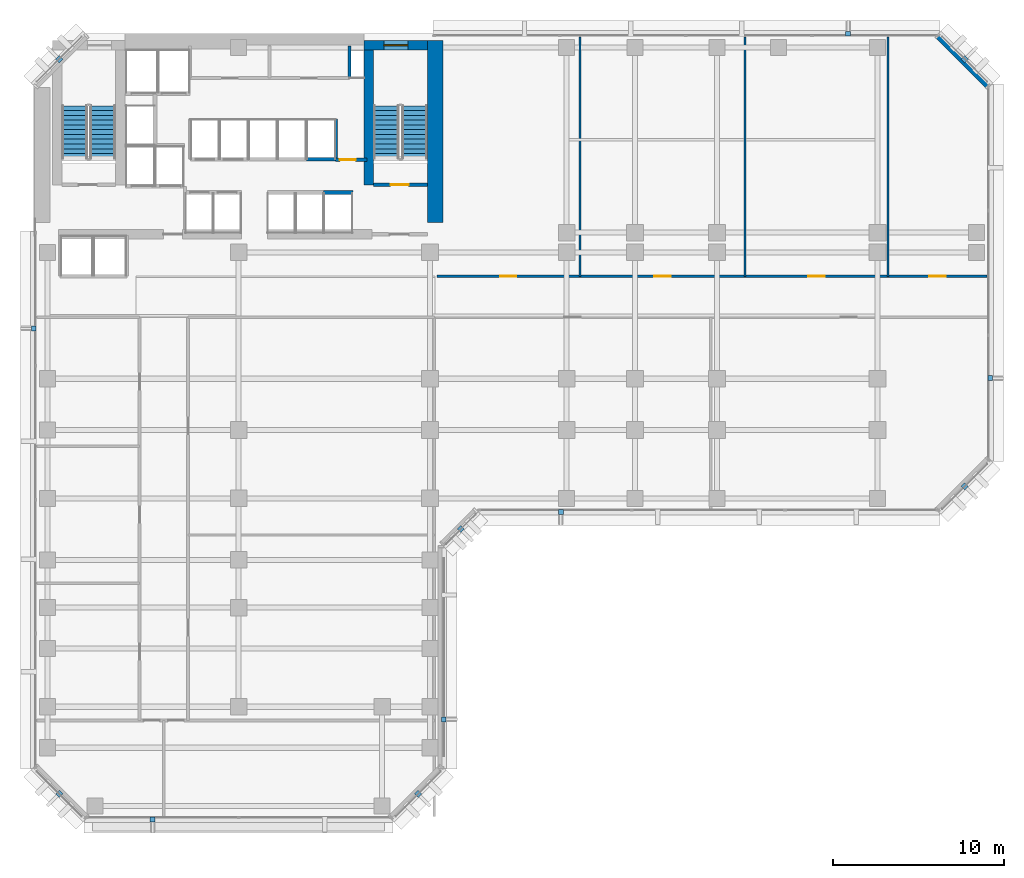
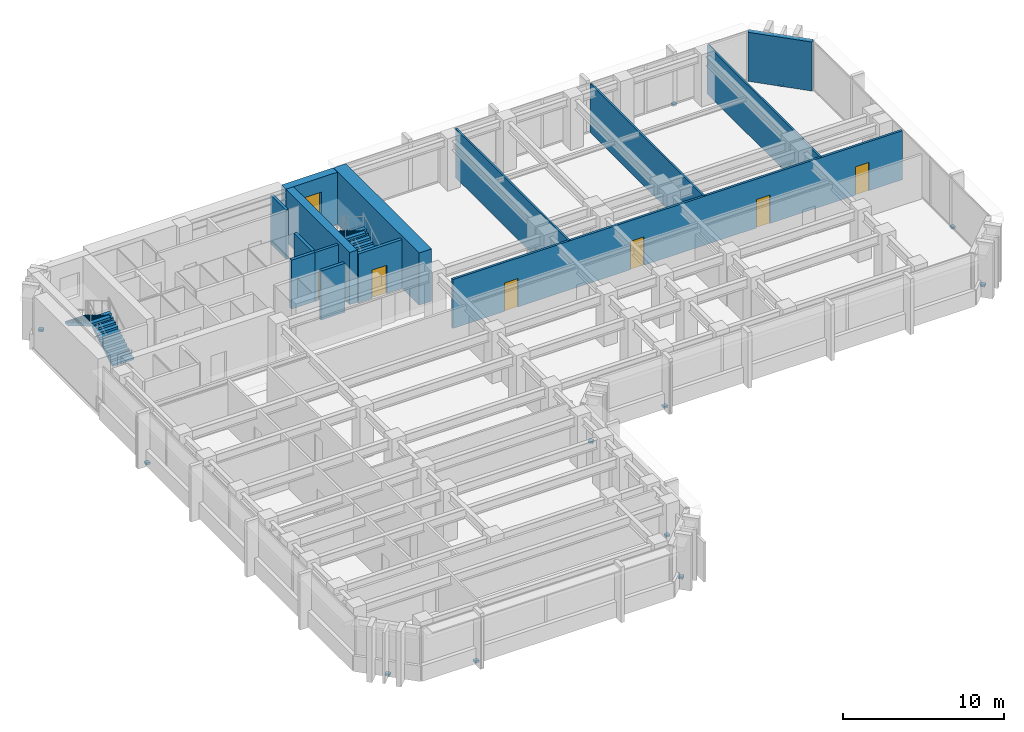
# One storey, part 8 of 13: 14 walls, 12 discrete accessories, 6 doors, 4 stair flights, 1 window, 7 openings, 2 elements without a shape of their own.
"""IFC4 building model written with IfcOpenShell, lengths in metres."""

from ifc_helpers import new_model, si_unit, direction, frame, frame_2d, origin, origin_2d, place, context, subcontext, project, spatial, polyline, rectangle, outline, extrude, material, layer, layer_set, type_object, element, fill, aggregate, save


model = new_model("IFC4")

# Units and contexts
model_context = context("Model", 3, precision=1e-05, world=origin(), true_north=direction((0.0, 1.0)))
body_context = subcontext(model_context, "Body", "Model", "MODEL_VIEW")
ifc_project = project(units=[si_unit("LENGTHUNIT", "METRE"), si_unit("AREAUNIT", "SQUARE_METRE"), si_unit("VOLUMEUNIT", "CUBIC_METRE"), si_unit("PLANEANGLEUNIT", "RADIAN"), si_unit("MASSUNIT", "GRAM", prefix="KILO")], contexts=[model_context])

# Site, building, storey
site_placement = place(None, origin())
site = spatial("IfcSite", under=ifc_project, at=site_placement, CompositionType="ELEMENT")
building_placement = place(site_placement, origin())
building = spatial("IfcBuilding", under=site, at=building_placement, Name="Kefirva Bronze Tower", CompositionType="ELEMENT")
storey_placement = place(building_placement, frame((0.0, 0.0, 46.199951171875)))
storey = spatial("IfcBuildingStorey", under=building, at=storey_placement, Name="L10", CompositionType="ELEMENT", Elevation=46.199951171875)

# Walls
ifc_material_1 = material(Name="Gypsum acoustic partition")
ifc_layer_1 = layer(ifc_material_1, 0.1298828125, Name="Gypsum acoustic partition")
ifc_layer_set_1 = layer_set([ifc_layer_1], Name="Gypsum acoustic partition")
wall_type_1 = type_object("IfcWallType", Name="Acoustic Office Partition 130mm", PredefinedType="PARTITIONING", material=ifc_layer_set_1)
for number, where, z_axis, x_axis, name in (
    (1, (31.974609375, 31.800048828125, 0.0), (0.0, 0.0, 1.0), (0.0, 1.0, 0.0), "L10 Partition W-L10-END1"),
    (2, (41.6376953125, 31.800048828125, 0.0), (0.0, 0.0, 1.0), (0.0, 1.0, 0.0), "L10 Partition W-L10-END2"),
    (3, (50.01220703125, 31.800048828125, 0.0), (0.0, 0.0, 1.0), (0.0, 1.0, 0.0), "L10 Partition W-L10-END3"),
):
    element("IfcWall", number, at=place(storey_placement, frame(where, z_axis=z_axis, x_axis=x_axis)), inside=storey, type_object=wall_type_1, Name=name, PredefinedType="PARTITIONING", context=body_context, shape_type="SweptSolid", body=[
        extrude(rectangle(XDim=14.010009765625, YDim=0.1298828125, at=frame_2d((7.0048828125, 0.0))), origin(), (0.0, 0.0, 1.0), 3.7099609375),
    ])

# Wall, opening, door
ifc_material_2 = material(Name="Gypsum fireboard shaftwall")
ifc_layer_2 = layer(ifc_material_2, 0.219970703125, Name="Gypsum fireboard shaftwall")
ifc_layer_set_2 = layer_set([ifc_layer_2], Name="Gypsum fireboard shaftwall")
wall_type_2 = type_object("IfcWallType", Name="Fire-Rated Shaft Enclosure Wall 220mm", PredefinedType="PARTITIONING", material=ifc_layer_set_2)
wall_1_placement = place(storey_placement, frame((19.89990234375, 37.14990234375, 0.0), z_axis=(0.0, 0.0, 1.0), x_axis=(1.0, 0.0, 0.0)))
wall_1 = element("IfcWall", 4, at=wall_1_placement, inside=storey, type_object=wall_type_2, Name="L10 Partition W-L10-ST2S", PredefinedType="PARTITIONING", context=body_context, shape_type="SweptSolid", body=[
    extrude(rectangle(XDim=3.150146484375, YDim=0.219970703125, at=frame_2d((1.5751953125, 0.0))), origin(), (0.0, 0.0, 1.0), 3.7099609375),
])
opening_1_placement = place(wall_1_placement, frame((2.050048828125, 0.0, 0.0), z_axis=(0.0, 0.0, 1.0), x_axis=(-1.0, 0.0, 0.0)))
opening_1 = element("IfcOpeningElement", 5, at=opening_1_placement, cuts=wall_1, Name="Opening L10-D003", PredefinedType="OPENING", context=body_context, shape_type="SweptSolid", body=[
    extrude(rectangle(XDim=1.050048828125, YDim=2.14990234375, at=frame_2d((0.52490234375, 1.074951171875))), frame((0.0, 0.1201171875, 0.0), z_axis=(0.0, -1.0, 0.0), x_axis=(1.0, 0.0, 0.0)), (0.0, 0.0, 1.0), 0.239990234375),
])
ifc_material_3 = material(Name="Painted galvanized steel", Category="steel")
door_type_1 = type_object("IfcDoorType", Name="Fire Stair Enclosure Door 1050x2150 FD90S", OperationType="NOTDEFINED", PredefinedType="DOOR", material=ifc_material_3)
door_1_placement = place(opening_1_placement, origin())
door_1 = element("IfcDoor", 6, at=door_1_placement, inside=storey, type_object=door_type_1, Name="Door L10-D003", OperationType="SINGLE_SWING_RIGHT", OverallHeight=2.14990234375, OverallWidth=1.050048828125, PredefinedType="DOOR", context=body_context, shape_type="SweptSolid", body=[
    extrude(rectangle(XDim=1.050048828125, YDim=2.14990234375, at=frame_2d((0.52490234375, 1.074951171875))), frame((0.0, 0.02490234375, 0.0), z_axis=(0.0, -1.0, 0.0), x_axis=(1.0, 0.0, 0.0)), (0.0, 0.0, 1.0), 0.050048828125),
])
fill(opening_1, door_1)

# Walls
wall_2_placement = place(storey_placement, frame((17.679931640625, 38.64990234375, 0.0), z_axis=(0.0, 0.0, 1.0), x_axis=(0.0, 1.0, 0.0)))
element("IfcWall", 7, at=wall_2_placement, inside=storey, type_object=wall_type_2, Name="L10 Partition W-L10-HP2E", PredefinedType="PARTITIONING", context=body_context, shape_type="SweptSolid", body=[
    extrude(rectangle(XDim=2.35009765625, YDim=0.199951171875, at=frame_2d((1.175048828125, 0.0))), origin(), (0.0, 0.0, 1.0), 3.7099609375),
])
wall_3_placement = place(storey_placement, frame((16.97998046875, 36.699951171875, 0.0), z_axis=(0.0, 0.0, 1.0), x_axis=(1.0, 0.0, 0.0)))
element("IfcWall", 8, at=wall_3_placement, inside=storey, type_object=wall_type_2, Name="L10 Partition W-L10-HPS", PredefinedType="PARTITIONING", context=body_context, shape_type="SweptSolid", body=[
    extrude(rectangle(XDim=1.699951171875, YDim=0.219970703125, at=frame_2d((0.85009765625, 0.0))), origin(), (0.0, 0.0, 1.0), 3.7099609375),
])
wall_4_placement = place(storey_placement, frame((15.97998046875, 38.64990234375, 0.0), z_axis=(0.0, 0.0, 1.0), x_axis=(1.0, 0.0, 0.0)))
element("IfcWall", 9, at=wall_4_placement, inside=storey, type_object=wall_type_2, Name="L10 Partition W-L10-HPN", PredefinedType="PARTITIONING", context=body_context, shape_type="SweptSolid", body=[
    extrude(rectangle(XDim=1.719970703125, YDim=0.219970703125, at=frame_2d((0.85986328125, 0.0))), origin(), (0.0, 0.0, 1.0), 3.7099609375),
])

# Wall, opening, door
ifc_material_4 = material(Name="Gypsum fireboard barrier")
ifc_layer_3 = layer(ifc_material_4, 0.199951171875, Name="Gypsum fireboard barrier")
ifc_layer_set_3 = layer_set([ifc_layer_3], Name="Gypsum fireboard barrier")
wall_type_3 = type_object("IfcWallType", Name="Firefighting Lobby Barrier Wall 200mm", PredefinedType="PARTITIONING", material=ifc_layer_set_3)
wall_5_placement = place(storey_placement, frame((17.679931640625, 38.6201171875, 0.0), z_axis=(0.0, 0.0, 1.0), x_axis=(1.0, 0.0, 0.0)))
wall_5 = element("IfcWall", 10, at=wall_5_placement, inside=storey, type_object=wall_type_3, Name="L10 Partition W-L10-CPASS", PredefinedType="PARTITIONING", context=body_context, shape_type="SweptSolid", body=[
    extrude(rectangle(XDim=1.840087890625, YDim=0.179931640625, at=frame_2d((0.919921875, 0.0))), origin(), (0.0, 0.0, 1.0), 3.7099609375),
])
opening_2_placement = place(wall_5_placement, frame((0.239990234375, 0.0, 0.0)))
opening_2 = element("IfcOpeningElement", 11, at=opening_2_placement, cuts=wall_5, Name="Opening L10-D-CPAS", PredefinedType="OPENING", context=body_context, shape_type="SweptSolid", body=[
    extrude(rectangle(XDim=0.919921875, YDim=2.10009765625, at=frame_2d((0.4599609375, 1.050048828125))), frame((0.0, 0.10009765625, 0.0), z_axis=(0.0, -1.0, 0.0), x_axis=(1.0, 0.0, 0.0)), (0.0, 0.0, 1.0), 0.199951171875),
])
ifc_material_5 = material(Name="Moisture-resistant timber", Category="wood")
door_type_2 = type_object("IfcDoorType", Name="Accessible Sanitary & WC Door 920x2100", OperationType="NOTDEFINED", PredefinedType="DOOR", material=ifc_material_5)
door_2_placement = place(opening_2_placement, origin())
door_2 = element("IfcDoor", 12, at=door_2_placement, inside=storey, type_object=door_type_2, Name="Door L10-D-CPAS", OperationType="SINGLE_SWING_RIGHT", OverallHeight=2.10009765625, OverallWidth=0.919921875, PredefinedType="DOOR", context=body_context, shape_type="SweptSolid", body=[
    extrude(rectangle(XDim=0.919921875, YDim=2.10009765625, at=frame_2d((0.4599609375, 1.050048828125))), frame((0.0, 0.02490234375, 0.0), z_axis=(0.0, -1.0, 0.0), x_axis=(1.0, 0.0, 0.0)), (0.0, 0.0, 1.0), 0.050048828125),
])
fill(opening_2, door_2)

# Wall
ifc_material_6 = material(Name="Precast concrete C40/50", Category="concrete")
ifc_layer_4 = layer(ifc_material_6, 0.320068359375, Name="Precast concrete C40/50")
ifc_layer_set_4 = layer_set([ifc_layer_4], Name="Precast concrete C40/50")
wall_type_4 = type_object("IfcWallType", Name="Precast Insulated Exterior Wall 320mm", PredefinedType="SOLIDWALL", material=ifc_layer_set_4)
wall_6_placement = place(storey_placement, frame((55.847900390625, 42.92578125, 0.0), z_axis=(0.0, 0.0, 1.0), x_axis=(-0.707106781187, 0.707106781187, 0.0)))
element("IfcWall", 13, at=wall_6_placement, inside=storey, type_object=wall_type_4, Name="L10 Exterior Facade Wall 5", PredefinedType="SOLIDWALL", context=body_context, shape_type="SweptSolid", body=[
    extrude(rectangle(XDim=4.132568359375, YDim=0.320068359375, at=frame_2d((2.06640625, 0.0))), origin(), (0.0, 0.0, 1.0), 3.7099609375),
])

# Wall, openings, doors
ifc_layer_5 = layer(ifc_material_1, 0.159912109375, Name="Gypsum acoustic partition")
ifc_layer_set_5 = layer_set([ifc_layer_5], Name="Gypsum acoustic partition")
wall_type_5 = type_object("IfcWallType", Name="Protected Corridor Partition 160mm", PredefinedType="PARTITIONING", material=ifc_layer_set_5)
wall_7_placement = place(storey_placement, frame((23.60009765625, 31.800048828125, 0.0), z_axis=(0.0, 0.0, 1.0), x_axis=(1.0, 0.0, 0.0)))
wall_7 = element("IfcWall", 14, at=wall_7_placement, inside=storey, type_object=wall_type_5, Name="L10 Partition W-L10-EWN", PredefinedType="PARTITIONING", context=body_context, shape_type="SweptSolid", body=[
    extrude(rectangle(XDim=32.2099609375, YDim=0.159912109375, at=frame_2d((16.10498046875, 0.0))), origin(), (0.0, 0.0, 1.0), 3.7099609375),
])
opening_3_placement = place(wall_7_placement, frame((3.71240234375, 0.0, 0.0)))
opening_3 = element("IfcOpeningElement", 15, at=opening_3_placement, cuts=wall_7, Name="Opening L10-D-EN1", PredefinedType="OPENING", context=body_context, shape_type="SweptSolid", body=[
    extrude(rectangle(XDim=0.949951171875, YDim=2.14990234375, at=frame_2d((0.47509765625, 1.074951171875))), frame((0.0, 0.08984375, 0.0), z_axis=(0.0, -1.0, 0.0), x_axis=(1.0, 0.0, 0.0)), (0.0, 0.0, 1.0), 0.179931640625),
])
opening_4_placement = place(wall_7_placement, frame((12.731201171875, 0.0, 0.0)))
opening_4 = element("IfcOpeningElement", 16, at=opening_4_placement, cuts=wall_7, Name="Opening L10-D-EN2", PredefinedType="OPENING", context=body_context, shape_type="SweptSolid", body=[
    extrude(rectangle(XDim=0.949951171875, YDim=2.14990234375, at=frame_2d((0.47509765625, 1.074951171875))), frame((0.0, 0.08984375, 0.0), z_axis=(0.0, -1.0, 0.0), x_axis=(1.0, 0.0, 0.0)), (0.0, 0.0, 1.0), 0.179931640625),
])
opening_5_placement = place(wall_7_placement, frame((21.75, 0.0, 0.0)))
opening_5 = element("IfcOpeningElement", 17, at=opening_5_placement, cuts=wall_7, Name="Opening L10-D-EN3", PredefinedType="OPENING", context=body_context, shape_type="SweptSolid", body=[
    extrude(rectangle(XDim=0.949951171875, YDim=2.14990234375, at=frame_2d((0.47509765625, 1.074951171875))), frame((0.0, 0.08984375, 0.0), z_axis=(0.0, -1.0, 0.0), x_axis=(1.0, 0.0, 0.0)), (0.0, 0.0, 1.0), 0.179931640625),
])
opening_6_placement = place(wall_7_placement, frame((28.836181640625, 0.0, 0.0)))
opening_6 = element("IfcOpeningElement", 18, at=opening_6_placement, cuts=wall_7, Name="Opening L10-D-EN4", PredefinedType="OPENING", context=body_context, shape_type="SweptSolid", body=[
    extrude(rectangle(XDim=0.949951171875, YDim=2.14990234375, at=frame_2d((0.47509765625, 1.074951171875))), frame((0.0, 0.08984375, 0.0), z_axis=(0.0, -1.0, 0.0), x_axis=(1.0, 0.0, 0.0)), (0.0, 0.0, 1.0), 0.179931640625),
])
ifc_material_7 = material(Name="Acoustic hardwood oak", Category="wood")
door_type_3 = type_object("IfcDoorType", Name="Office & Meeting Room Door 950x2150", OperationType="NOTDEFINED", PredefinedType="DOOR", material=ifc_material_7)
door_3_placement = place(opening_3_placement, origin())
door_3 = element("IfcDoor", 19, at=door_3_placement, inside=storey, type_object=door_type_3, Name="Door L10-D-EN1", OperationType="SINGLE_SWING_RIGHT", OverallHeight=2.14990234375, OverallWidth=0.949951171875, PredefinedType="DOOR", context=body_context, shape_type="SweptSolid", body=[
    extrude(rectangle(XDim=0.949951171875, YDim=2.14990234375, at=frame_2d((0.47509765625, 1.074951171875))), frame((0.0, 0.02490234375, 0.0), z_axis=(0.0, -1.0, 0.0), x_axis=(1.0, 0.0, 0.0)), (0.0, 0.0, 1.0), 0.050048828125),
])
fill(opening_3, door_3)
door_4_placement = place(opening_4_placement, origin())
door_4 = element("IfcDoor", 20, at=door_4_placement, inside=storey, type_object=door_type_3, Name="Door L10-D-EN2", OperationType="SINGLE_SWING_LEFT", OverallHeight=2.14990234375, OverallWidth=0.949951171875, PredefinedType="DOOR", context=body_context, shape_type="SweptSolid", body=[
    extrude(rectangle(XDim=0.949951171875, YDim=2.14990234375, at=frame_2d((0.47509765625, 1.074951171875))), frame((0.0, 0.02490234375, 0.0), z_axis=(0.0, -1.0, 0.0), x_axis=(1.0, 0.0, 0.0)), (0.0, 0.0, 1.0), 0.050048828125),
])
fill(opening_4, door_4)
door_5_placement = place(opening_5_placement, origin())
door_5 = element("IfcDoor", 21, at=door_5_placement, inside=storey, type_object=door_type_3, Name="Door L10-D-EN3", OperationType="SINGLE_SWING_RIGHT", OverallHeight=2.14990234375, OverallWidth=0.949951171875, PredefinedType="DOOR", context=body_context, shape_type="SweptSolid", body=[
    extrude(rectangle(XDim=0.949951171875, YDim=2.14990234375, at=frame_2d((0.47509765625, 1.074951171875))), frame((0.0, 0.02490234375, 0.0), z_axis=(0.0, -1.0, 0.0), x_axis=(1.0, 0.0, 0.0)), (0.0, 0.0, 1.0), 0.050048828125),
])
fill(opening_5, door_5)
door_6_placement = place(opening_6_placement, origin())
door_6 = element("IfcDoor", 22, at=door_6_placement, inside=storey, type_object=door_type_3, Name="Door L10-D-EN4", OperationType="SINGLE_SWING_LEFT", OverallHeight=2.14990234375, OverallWidth=0.949951171875, PredefinedType="DOOR", context=body_context, shape_type="SweptSolid", body=[
    extrude(rectangle(XDim=0.949951171875, YDim=2.14990234375, at=frame_2d((0.47509765625, 1.074951171875))), frame((0.0, 0.02490234375, 0.0), z_axis=(0.0, -1.0, 0.0), x_axis=(1.0, 0.0, 0.0)), (0.0, 0.0, 1.0), 0.050048828125),
])
fill(opening_6, door_6)

# Wall, opening, window
ifc_material_8 = material(Name="Concrete C50/60", Category="concrete")
ifc_layer_6 = layer(ifc_material_8, 0.550048828125, Name="Concrete C50/60")
ifc_layer_set_6 = layer_set([ifc_layer_6], Name="Concrete C50/60")
wall_type_6 = type_object("IfcWallType", Name="RC Rear Core Exterior Wall 550mm", PredefinedType="SHEAR", material=ifc_layer_set_6)
wall_8_placement = place(storey_placement, frame((19.35009765625, 45.320068359375, 0.0), z_axis=(0.0, 0.0, 1.0), x_axis=(1.0, 0.0, 0.0)))
wall_8 = element("IfcWall", 23, at=wall_8_placement, inside=storey, type_object=wall_type_6, Name="L10 Stair 2 North Shear Wall", PredefinedType="SHEAR", context=body_context, shape_type="SweptSolid", body=[
    extrude(rectangle(XDim=3.68994140625, YDim=0.550048828125, at=frame_2d((1.844970703125, 0.0))), origin(), (0.0, 0.0, 1.0), 3.9599609375),
])
opening_7_placement = place(wall_8_placement, frame((1.14990234375, 0.0, 1.050048828125)))
opening_7 = element("IfcOpeningElement", 24, at=opening_7_placement, cuts=wall_8, Name="Opening WN-03", PredefinedType="OPENING", context=body_context, shape_type="SweptSolid", body=[
    extrude(rectangle(XDim=1.39990234375, YDim=1.800048828125, at=frame_2d((0.699951171875, 0.89990234375))), frame((0.0, 0.28515625, 0.0), z_axis=(0.0, -1.0, 0.0), x_axis=(1.0, 0.0, 0.0)), (0.0, 0.0, 1.0), 0.570068359375),
])
ifc_material_9 = material(Name="Laminated low-E double glazing", Category="glass")
window_type = type_object("IfcWindowType", Name="Rear-Core Stair Daylight Window 1400x1800", PartitioningType="SINGLE_PANEL", PredefinedType="WINDOW", material=ifc_material_9)
window_placement = place(opening_7_placement, origin())
window = element("IfcWindow", 25, at=window_placement, inside=storey, type_object=window_type, Name="L10 Stair 2 Daylight Window", OverallHeight=1.800048828125, OverallWidth=1.39990234375, PartitioningType="SINGLE_PANEL", PredefinedType="WINDOW", context=body_context, shape_type="SweptSolid", body=[
    extrude(rectangle(XDim=1.39990234375, YDim=1.800048828125, at=frame_2d((0.699951171875, 0.89990234375))), frame((0.0, 0.030029296875, 0.0), z_axis=(0.0, -1.0, 0.0), x_axis=(1.0, 0.0, 0.0)), (0.0, 0.0, 1.0), 0.06005859375),
])
fill(opening_7, window)

# Walls
ifc_layer_7 = layer(ifc_material_8, 0.550048828125, Name="Concrete C50/60")
ifc_layer_set_7 = layer_set([ifc_layer_7], Name="Concrete C50/60")
wall_type_7 = type_object("IfcWallType", Name="RC Rear Core Interior Wall 550mm", PredefinedType="SHEAR", material=ifc_layer_set_7)
wall_9_placement = place(storey_placement, frame((19.6201171875, 37.14990234375, 0.0), z_axis=(0.0, 0.0, 1.0), x_axis=(0.0, 1.0, 0.0)))
element("IfcWall", 26, at=wall_9_placement, inside=storey, type_object=wall_type_7, Name="L10 Stair 2 West Shear Wall", PredefinedType="SHEAR", context=body_context, shape_type="SweptSolid", body=[
    extrude(rectangle(XDim=7.89013671875, YDim=0.550048828125, at=frame_2d((3.945068359375, 0.0))), origin(), (0.0, 0.0, 1.0), 3.9599609375),
])
ifc_material_10 = material(Name="Concrete C60/75", Category="concrete")
ifc_layer_8 = layer(ifc_material_10, 0.89990234375, Name="Concrete C60/75")
ifc_layer_set_8 = layer_set([ifc_layer_8], Name="Concrete C60/75")
wall_type_8 = type_object("IfcWallType", Name="RC Rear Core Interior Wall 900mm", PredefinedType="SHEAR", material=ifc_layer_set_8)
wall_10_placement = place(storey_placement, frame((23.5, 34.949951171875, 0.0), z_axis=(0.0, 0.0, 1.0), x_axis=(0.0, 1.0, 0.0)))
element("IfcWall", 27, at=wall_10_placement, inside=storey, type_object=wall_type_8, Name="L10 Rear Core East Shear Wall", PredefinedType="SHEAR", context=body_context, shape_type="SweptSolid", body=[
    extrude(rectangle(XDim=10.64013671875, YDim=0.89990234375, at=frame_2d((5.320068359375, 0.0))), origin(), (0.0, 0.0, 1.0), 3.9599609375),
])
ifc_material_11 = material(Name="Moisture-resistant partition")
ifc_layer_9 = layer(ifc_material_11, 0.179931640625, Name="Moisture-resistant partition")
ifc_layer_set_9 = layer_set([ifc_layer_9], Name="Moisture-resistant partition")
wall_type_9 = type_object("IfcWallType", Name="Sanitary Plumbing Chase Wall 180mm", PredefinedType="PLUMBINGWALL", material=ifc_layer_set_9)
wall_11_placement = place(storey_placement, frame((18.47998046875, 43.39990234375, 0.0), z_axis=(0.0, 0.0, 1.0), x_axis=(0.0, 1.0, 0.0)))
element("IfcWall", 28, at=wall_11_placement, inside=storey, type_object=wall_type_9, Name="L10 Partition W-L10-SVCE", PredefinedType="PLUMBINGWALL", context=body_context, shape_type="SweptSolid", body=[
    extrude(rectangle(XDim=1.880126953125, YDim=0.179931640625, at=frame_2d((0.93994140625, 0.0))), origin(), (0.0, 0.0, 1.0), 3.7099609375),
])

# Stair, stair flights
ifc_material_12 = material(Name="Concrete C40/50", Category="concrete")
stair_type = type_object("IfcStairType", Name="RC Dogleg Protected Stair 24R", PredefinedType="HALF_TURN_STAIR", material=ifc_material_12)
stair_1_placement = place(storey_placement, origin())
stair_1 = element("IfcStair", 29, at=stair_1_placement, inside=storey, type_object=stair_type, Name="L10 Protected Exit Stair 1", PredefinedType="HALF_TURN_STAIR")
stair_flight_type = type_object("IfcStairFlightType", Name="RC Straight Stair Flight 24R", PredefinedType="STRAIGHT", material=ifc_material_12)
stair_flight_1_placement = place(storey_placement, frame((4.050048828125, 38.699951171875, 0.0), z_axis=(0.0, 0.0, 1.0), x_axis=(0.0, 1.0, 0.0)))
stair_flight_1 = element("IfcStairFlight", 30, at=stair_flight_1_placement, type_object=stair_flight_type, Name="ST-1 flight 1", NumberOfRisers=12, NumberOfTreads=11, PredefinedType="STRAIGHT", RiserHeight=0.165, TreadLength=0.28, context=body_context, shape_type="SweptSolid", body=[
    extrude(outline(polyline([(0.0, 0.0), (0.0, 0.1650390625), (0.280029296875, 0.1650390625), (0.280029296875, 0.330078125), (0.56005859375, 0.330078125), (0.56005859375, 0.4951171875), (0.840087890625, 0.4951171875), (0.840087890625, 0.659912109375), (1.1201171875, 0.659912109375), (1.1201171875, 0.824951171875), (1.39990234375, 0.824951171875), (1.39990234375, 0.989990234375), (1.679931640625, 0.989990234375), (1.679931640625, 1.155029296875), (1.9599609375, 1.155029296875), (1.9599609375, 1.320068359375), (2.239990234375, 1.320068359375), (2.239990234375, 1.485107421875), (2.52001953125, 1.485107421875), (2.52001953125, 1.64990234375), (2.800048828125, 1.64990234375), (2.800048828125, 1.81494140625), (3.080078125, 1.81494140625), (3.080078125, 1.97998046875), (3.080078125, 1.64111328125), (0.295166015625, 0.0), (0.0, 0.0)])), frame((0.0, 0.75, 0.0), z_axis=(0.0, -1.0, 0.0), x_axis=(1.0, 0.0, 0.0)), (0.0, 0.0, 1.0), 1.5),
])
stair_flight_2_placement = place(storey_placement, frame((2.39990234375, 41.780029296875, 1.97998046875), z_axis=(0.0, 0.0, 1.0), x_axis=(0.0, -1.0, 0.0)))
stair_flight_2 = element("IfcStairFlight", 31, at=stair_flight_2_placement, type_object=stair_flight_type, Name="ST-1 flight 2", NumberOfRisers=12, NumberOfTreads=11, PredefinedType="STRAIGHT", RiserHeight=0.165, TreadLength=0.28, context=body_context, shape_type="SweptSolid", body=[
    extrude(outline(polyline([(0.0, 0.0), (0.0, 0.1650390625), (0.280029296875, 0.1650390625), (0.280029296875, 0.330078125), (0.56005859375, 0.330078125), (0.56005859375, 0.4951171875), (0.840087890625, 0.4951171875), (0.840087890625, 0.659912109375), (1.1201171875, 0.659912109375), (1.1201171875, 0.824951171875), (1.39990234375, 0.824951171875), (1.39990234375, 0.989990234375), (1.679931640625, 0.989990234375), (1.679931640625, 1.155029296875), (1.9599609375, 1.155029296875), (1.9599609375, 1.320068359375), (2.239990234375, 1.320068359375), (2.239990234375, 1.485107421875), (2.52001953125, 1.485107421875), (2.52001953125, 1.64990234375), (2.800048828125, 1.64990234375), (2.800048828125, 1.81494140625), (3.080078125, 1.81494140625), (3.080078125, 1.97998046875), (3.080078125, 1.64111328125), (0.295166015625, 0.0), (0.0, 0.0)])), frame((0.0, 0.75, 0.0), z_axis=(0.0, -1.0, 0.0), x_axis=(1.0, 0.0, 0.0)), (0.0, 0.0, 1.0), 1.5),
])
aggregate(stair_1, [stair_flight_1, stair_flight_2])

stair_2_placement = place(storey_placement, origin())
stair_2 = element("IfcStair", 32, at=stair_2_placement, inside=storey, type_object=stair_type, Name="L10 Protected Exit Stair 2", PredefinedType="HALF_TURN_STAIR")
stair_flight_3_placement = place(storey_placement, frame((22.300048828125, 38.699951171875, 0.0), z_axis=(0.0, 0.0, 1.0), x_axis=(0.0, 1.0, 0.0)))
stair_flight_3 = element("IfcStairFlight", 33, at=stair_flight_3_placement, type_object=stair_flight_type, Name="ST-2 flight 1", NumberOfRisers=12, NumberOfTreads=11, PredefinedType="STRAIGHT", RiserHeight=0.165, TreadLength=0.28, context=body_context, shape_type="SweptSolid", body=[
    extrude(outline(polyline([(0.0, 0.0), (0.0, 0.1650390625), (0.280029296875, 0.1650390625), (0.280029296875, 0.330078125), (0.56005859375, 0.330078125), (0.56005859375, 0.4951171875), (0.840087890625, 0.4951171875), (0.840087890625, 0.659912109375), (1.1201171875, 0.659912109375), (1.1201171875, 0.824951171875), (1.39990234375, 0.824951171875), (1.39990234375, 0.989990234375), (1.679931640625, 0.989990234375), (1.679931640625, 1.155029296875), (1.9599609375, 1.155029296875), (1.9599609375, 1.320068359375), (2.239990234375, 1.320068359375), (2.239990234375, 1.485107421875), (2.52001953125, 1.485107421875), (2.52001953125, 1.64990234375), (2.800048828125, 1.64990234375), (2.800048828125, 1.81494140625), (3.080078125, 1.81494140625), (3.080078125, 1.97998046875), (3.080078125, 1.64111328125), (0.295166015625, 0.0), (0.0, 0.0)])), frame((0.0, 0.75, 0.0), z_axis=(0.0, -1.0, 0.0), x_axis=(1.0, 0.0, 0.0)), (0.0, 0.0, 1.0), 1.5),
])
stair_flight_4_placement = place(storey_placement, frame((20.64990234375, 41.780029296875, 1.97998046875), z_axis=(0.0, 0.0, 1.0), x_axis=(0.0, -1.0, 0.0)))
stair_flight_4 = element("IfcStairFlight", 34, at=stair_flight_4_placement, type_object=stair_flight_type, Name="ST-2 flight 2", NumberOfRisers=12, NumberOfTreads=11, PredefinedType="STRAIGHT", RiserHeight=0.165, TreadLength=0.28, context=body_context, shape_type="SweptSolid", body=[
    extrude(outline(polyline([(0.0, 0.0), (0.0, 0.1650390625), (0.280029296875, 0.1650390625), (0.280029296875, 0.330078125), (0.56005859375, 0.330078125), (0.56005859375, 0.4951171875), (0.840087890625, 0.4951171875), (0.840087890625, 0.659912109375), (1.1201171875, 0.659912109375), (1.1201171875, 0.824951171875), (1.39990234375, 0.824951171875), (1.39990234375, 0.989990234375), (1.679931640625, 0.989990234375), (1.679931640625, 1.155029296875), (1.9599609375, 1.155029296875), (1.9599609375, 1.320068359375), (2.239990234375, 1.320068359375), (2.239990234375, 1.485107421875), (2.52001953125, 1.485107421875), (2.52001953125, 1.64990234375), (2.800048828125, 1.64990234375), (2.800048828125, 1.81494140625), (3.080078125, 1.81494140625), (3.080078125, 1.97998046875), (3.080078125, 1.64111328125), (0.295166015625, 0.0), (0.0, 0.0)])), frame((0.0, 0.75, 0.0), z_axis=(0.0, -1.0, 0.0), x_axis=(1.0, 0.0, 0.0)), (0.0, 0.0, 1.0), 1.5),
])
aggregate(stair_2, [stair_flight_3, stair_flight_4])

# Discrete accessories
ifc_material_13 = material(Name="Stainless steel 316", Category="steel")
ifc_layer_10 = layer(ifc_material_13, 0.159912109375, Name="Stainless steel 316")
ifc_layer_set_10 = layer_set([ifc_layer_10], Name="Stainless steel 316")
discrete_accessory_type = type_object("IfcDiscreteAccessoryType", Name="Stainless Facade Outrigger Bracket", PredefinedType="BRACKET", material=ifc_layer_set_10)
discrete_accessory_1_placement = place(storey_placement, frame((6.9599609375, 0.0, -0.15966796875), z_axis=(0.0, 0.0, 1.0), x_axis=(1.0, 0.0, 0.0)))
element("IfcDiscreteAccessory", 35, at=discrete_accessory_1_placement, inside=storey, type_object=discrete_accessory_type, Name="L10 Rib Outrigger Bracket 1", PredefinedType="BRACKET", context=body_context, shape_type="SweptSolid", body=[
    extrude(rectangle(XDim=0.280029296875, YDim=0.280029296875, at=origin_2d()), origin(), (0.0, 0.0, 1.0), 0.159912109375),
])
discrete_accessory_2_placement = place(storey_placement, frame((22.5, 1.5, -0.15966796875), z_axis=(0.0, 0.0, 1.0), x_axis=(0.707106781187, 0.707106781187, 0.0)))
element("IfcDiscreteAccessory", 36, at=discrete_accessory_2_placement, inside=storey, type_object=discrete_accessory_type, Name="L10 Corner Fin Outrigger Bracket 4", PredefinedType="BRACKET", context=body_context, shape_type="SweptSolid", body=[
    extrude(rectangle(XDim=0.300048828125, YDim=0.300048828125, at=origin_2d()), origin(), (0.0, 0.0, 1.0), 0.159912109375),
])
discrete_accessory_3_placement = place(storey_placement, frame((24.0, 5.860107421875, -0.15966796875), z_axis=(0.0, 0.0, 1.0), x_axis=(0.0, 1.0, 0.0)))
element("IfcDiscreteAccessory", 37, at=discrete_accessory_3_placement, inside=storey, type_object=discrete_accessory_type, Name="L10 Rib Outrigger Bracket 5", PredefinedType="BRACKET", context=body_context, shape_type="SweptSolid", body=[
    extrude(rectangle(XDim=0.280029296875, YDim=0.280029296875, at=origin_2d()), origin(), (0.0, 0.0, 1.0), 0.159912109375),
])
discrete_accessory_4_placement = place(storey_placement, frame((25.0, 17.0, -0.15966796875), z_axis=(0.0, 0.0, 1.0), x_axis=(0.707106781187, 0.707106781187, 0.0)))
element("IfcDiscreteAccessory", 38, at=discrete_accessory_4_placement, inside=storey, type_object=discrete_accessory_type, Name="L10 Corner Fin Outrigger Bracket 8", PredefinedType="BRACKET", context=body_context, shape_type="SweptSolid", body=[
    extrude(rectangle(XDim=0.300048828125, YDim=0.300048828125, at=origin_2d()), origin(), (0.0, 0.0, 1.0), 0.159912109375),
])
discrete_accessory_5_placement = place(storey_placement, frame((30.860107421875, 18.0, -0.15966796875), z_axis=(0.0, 0.0, 1.0), x_axis=(1.0, 0.0, 0.0)))
element("IfcDiscreteAccessory", 39, at=discrete_accessory_5_placement, inside=storey, type_object=discrete_accessory_type, Name="L10 Rib Outrigger Bracket 9", PredefinedType="BRACKET", context=body_context, shape_type="SweptSolid", body=[
    extrude(rectangle(XDim=0.280029296875, YDim=0.280029296875, at=origin_2d()), origin(), (0.0, 0.0, 1.0), 0.159912109375),
])
discrete_accessory_6_placement = place(storey_placement, frame((54.5, 19.5, -0.15966796875), z_axis=(0.0, 0.0, 1.0), x_axis=(0.707106781187, 0.707106781187, 0.0)))
element("IfcDiscreteAccessory", 40, at=discrete_accessory_6_placement, inside=storey, type_object=discrete_accessory_type, Name="L10 Corner Fin Outrigger Bracket 14", PredefinedType="BRACKET", context=body_context, shape_type="SweptSolid", body=[
    extrude(rectangle(XDim=0.300048828125, YDim=0.300048828125, at=origin_2d()), origin(), (0.0, 0.0, 1.0), 0.159912109375),
])
discrete_accessory_7_placement = place(storey_placement, frame((56.0, 25.840087890625, -0.15966796875), z_axis=(0.0, 0.0, 1.0), x_axis=(0.0, 1.0, 0.0)))
element("IfcDiscreteAccessory", 41, at=discrete_accessory_7_placement, inside=storey, type_object=discrete_accessory_type, Name="L10 Rib Outrigger Bracket 15", PredefinedType="BRACKET", context=body_context, shape_type="SweptSolid", body=[
    extrude(rectangle(XDim=0.280029296875, YDim=0.280029296875, at=origin_2d()), origin(), (0.0, 0.0, 1.0), 0.159912109375),
])
discrete_accessory_8_placement = place(storey_placement, frame((54.5, 44.5, -0.15966796875), z_axis=(0.0, 0.0, 1.0), x_axis=(-0.707106781187, 0.707106781187, 0.0)))
element("IfcDiscreteAccessory", 42, at=discrete_accessory_8_placement, inside=storey, type_object=discrete_accessory_type, Name="L10 Corner Fin Outrigger Bracket 18", PredefinedType="BRACKET", context=body_context, shape_type="SweptSolid", body=[
    extrude(rectangle(XDim=0.300048828125, YDim=0.300048828125, at=origin_2d()), origin(), (0.0, 0.0, 1.0), 0.159912109375),
])
discrete_accessory_9_placement = place(storey_placement, frame((47.6728515625, 46.0, -0.15966796875), z_axis=(0.0, 0.0, 1.0), x_axis=(-1.0, 0.0, 0.0)))
element("IfcDiscreteAccessory", 43, at=discrete_accessory_9_placement, inside=storey, type_object=discrete_accessory_type, Name="L10 Rib Outrigger Bracket 19", PredefinedType="BRACKET", context=body_context, shape_type="SweptSolid", body=[
    extrude(rectangle(XDim=0.280029296875, YDim=0.280029296875, at=origin_2d()), origin(), (0.0, 0.0, 1.0), 0.159912109375),
])
discrete_accessory_10_placement = place(storey_placement, frame((1.5, 44.5, -0.15966796875), z_axis=(0.0, 0.0, 1.0), x_axis=(-0.707106781187, -0.707106781187, 0.0)))
element("IfcDiscreteAccessory", 44, at=discrete_accessory_10_placement, inside=storey, type_object=discrete_accessory_type, Name="L10 Corner Fin Outrigger Bracket 24", PredefinedType="BRACKET", context=body_context, shape_type="SweptSolid", body=[
    extrude(rectangle(XDim=0.300048828125, YDim=0.300048828125, at=origin_2d()), origin(), (0.0, 0.0, 1.0), 0.159912109375),
])
discrete_accessory_11_placement = place(storey_placement, frame((0.0, 28.743896484375, -0.15966796875), z_axis=(0.0, 0.0, 1.0), x_axis=(0.0, -1.0, 0.0)))
element("IfcDiscreteAccessory", 45, at=discrete_accessory_11_placement, inside=storey, type_object=discrete_accessory_type, Name="L10 Rib Outrigger Bracket 25", PredefinedType="BRACKET", context=body_context, shape_type="SweptSolid", body=[
    extrude(rectangle(XDim=0.280029296875, YDim=0.280029296875, at=origin_2d()), origin(), (0.0, 0.0, 1.0), 0.159912109375),
])
discrete_accessory_12_placement = place(storey_placement, frame((1.5, 1.5, -0.15966796875), z_axis=(0.0, 0.0, 1.0), x_axis=(0.707106781187, -0.707106781187, 0.0)))
element("IfcDiscreteAccessory", 46, at=discrete_accessory_12_placement, inside=storey, type_object=discrete_accessory_type, Name="L10 Corner Fin Outrigger Bracket 30", PredefinedType="BRACKET", context=body_context, shape_type="SweptSolid", body=[
    extrude(rectangle(XDim=0.300048828125, YDim=0.300048828125, at=origin_2d()), origin(), (0.0, 0.0, 1.0), 0.159912109375),
])

save(model, "model.ifc")
